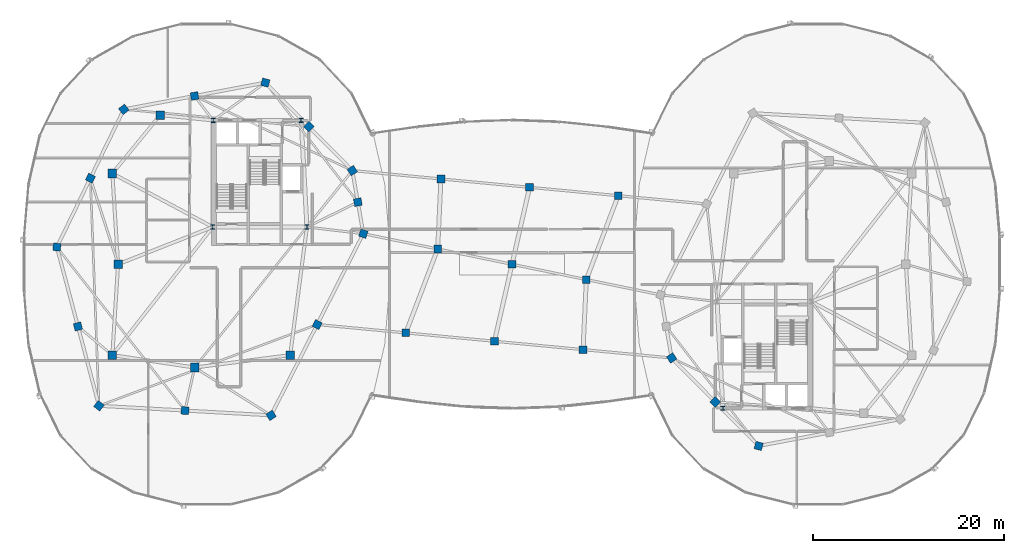
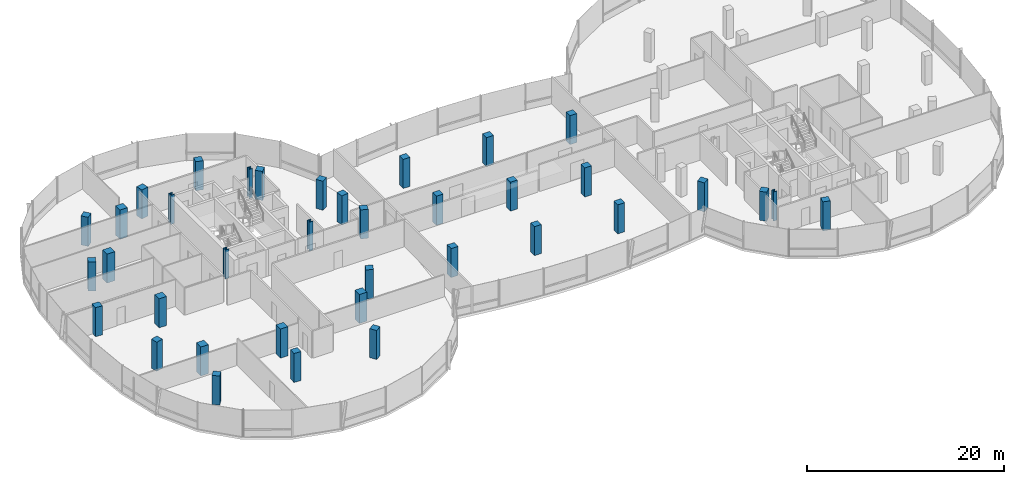
# One storey, part 1 of 25: 37 columns.
"""IFC4 building model written with IfcOpenShell, lengths in metres."""

import ifcopenshell
import ifcopenshell.guid

model = None  # the IFC model being written
_history = None  # IfcOwnerHistory: only IFC2X3 demands one
_inside = {}  # id of a spatial element -> (the spatial element, [elements in it])
_under = {}  # id of a project, library or spatial element -> (it, [spatial elements below it])
_declared = {}  # id of a project -> (the project, [libraries it declares])
_typed = {}  # id of a type object -> (the type object, [elements of that type])
_made_of = {}  # id of a material, layer set ... -> (it, [elements and type objects made of it])


def new_model(schema):
    """Start an empty IFC model of exactly this schema.

    Asked for "IFC4X3", IfcOpenShell would pick the latest addendum, in which some entities
    have other attributes; the version numbers below select the first issue.
    IFC2X3 requires an IfcOwnerHistory on every rooted entity: one is made here for all.
    """
    global model, _history
    if schema == "IFC4X3":
        model = ifcopenshell.file(schema_version=(4, 3, 0, 0))
    else:
        model = ifcopenshell.file(schema=schema)
    _inside.clear()
    _under.clear()
    _declared.clear()
    _typed.clear()
    _made_of.clear()
    _history = None
    if model.schema == "IFC2X3":
        org = make("IfcOrganization", Name="unknown")
        user = make(
            "IfcPersonAndOrganization",
            ThePerson=make("IfcPerson", FamilyName="unknown"),
            TheOrganization=org,
        )
        app = make(
            "IfcApplication",
            ApplicationDeveloper=org,
            Version="unknown",
            ApplicationFullName="unknown",
            ApplicationIdentifier="unknown",
        )
        _history = make(
            "IfcOwnerHistory",
            OwningUser=user,
            OwningApplication=app,
            ChangeAction="ADDED",
            CreationDate=0,
        )
    return model


def make(cls, **values):
    """One entity of the class cls with the attributes given. An attribute that is None is left unset."""
    return model.create_entity(
        cls, **{name: value for name, value in values.items() if value is not None}
    )


def rooted(cls, **values):
    """An entity with a GlobalId (a new one), such as an element, a storey or a relation."""
    return make(cls, GlobalId=ifcopenshell.guid.new(), OwnerHistory=_history, **values)


def si_unit(unit_type, name, prefix=None):
    """IfcSIUnit, for example si_unit("LENGTHUNIT", "METRE", prefix="MILLI")."""
    return make("IfcSIUnit", UnitType=unit_type, Prefix=prefix, Name=name)


def assignment(units):
    """IfcUnitAssignment: the units of a project."""
    return None if units is None else make("IfcUnitAssignment", Units=units)


def point(xyz):
    """IfcCartesianPoint."""
    return None if xyz is None else make("IfcCartesianPoint", Coordinates=xyz)


def direction(xyz):
    """IfcDirection."""
    return None if xyz is None else make("IfcDirection", DirectionRatios=xyz)


def frame(location, z_axis=None, x_axis=None):
    """IfcAxis2Placement3D, a coordinate frame: its origin and axes. An axis left out is left unset."""
    return make(
        "IfcAxis2Placement3D",
        Location=point(location),
        Axis=direction(z_axis),
        RefDirection=direction(x_axis),
    )


def frame_2d(location, x_axis=None):
    """IfcAxis2Placement2D, a coordinate frame in the plane: its origin and x axis."""
    return make(
        "IfcAxis2Placement2D", Location=point(location), RefDirection=direction(x_axis)
    )


def origin():
    """The frame at (0, 0, 0) with its axes left unset."""
    return frame((0.0, 0.0, 0.0))


def origin_2d():
    """The frame at (0, 0) in the plane with its x axis left unset."""
    return frame_2d((0.0, 0.0))


def place(relative_to, where):
    """IfcLocalPlacement: puts the frame where relative to a parent placement (None: the world)."""
    return make(
        "IfcLocalPlacement", PlacementRelTo=relative_to, RelativePlacement=where
    )


def context(
    kind, dimensions, precision=None, world=None, true_north=None, identifier=None
):
    """IfcGeometricRepresentationContext, for example the 3D "Model" context."""
    return make(
        "IfcGeometricRepresentationContext",
        ContextIdentifier=identifier,
        ContextType=kind,
        CoordinateSpaceDimension=dimensions,
        Precision=precision,
        WorldCoordinateSystem=world,
        TrueNorth=true_north,
    )


def subcontext(parent, identifier, kind, view, scale=None):
    """IfcGeometricRepresentationSubContext, for example "Body" below "Model"."""
    return make(
        "IfcGeometricRepresentationSubContext",
        ContextIdentifier=identifier,
        ContextType=kind,
        ParentContext=parent,
        TargetScale=scale,
        TargetView=view,
    )


def project(units=None, contexts=None):
    """IfcProject with its units and contexts."""
    return rooted(
        "IfcProject",
        Name="project",
        RepresentationContexts=contexts,
        UnitsInContext=assignment(units),
    )


def spatial(cls, under=None, at=None, **own):
    """A site, building, storey or space (cls), placed at a placement, below another one or the project."""
    s = rooted(cls, ObjectPlacement=at, **own)
    if under is not None:
        _under.setdefault(under.id(), (under, []))[1].append(s)
    return s


def profile(cls, at=None, kind="AREA", **sizes):
    """A parametric profile (cls). Its sizes go by their IFC names, for example OverallWidth=200.0."""
    return make(cls, ProfileType=kind, Position=at, **sizes)


def rectangle(**sizes):
    """IfcRectangleProfileDef."""
    return profile("IfcRectangleProfileDef", **sizes)


def i_section(**sizes):
    """IfcIShapeProfileDef."""
    return profile("IfcIShapeProfileDef", **sizes)


def extrude(swept, where, along, depth):
    """IfcExtrudedAreaSolid: the profile swept, set in the frame where, extruded along a direction by depth."""
    return make(
        "IfcExtrudedAreaSolid",
        SweptArea=swept,
        Position=where,
        ExtrudedDirection=direction(along),
        Depth=depth,
    )


def shape(context_of_items, identifier, shape_type, items):
    """IfcShapeRepresentation: the items that make up one representation, for example the "Body"."""
    return make(
        "IfcShapeRepresentation",
        ContextOfItems=context_of_items,
        RepresentationIdentifier=identifier,
        RepresentationType=shape_type,
        Items=items,
    )


def material(Name=None, Category=None):
    """IfcMaterial."""
    return make("IfcMaterial", Name=Name, Category=Category)


def material_profile(
    of_material, cross_section, Name=None, Category=None, Priority=None
):
    """IfcMaterialProfile: a cross section and its material."""
    return make(
        "IfcMaterialProfile",
        Name=Name,
        Material=of_material,
        Profile=cross_section,
        Priority=Priority,
        Category=Category,
    )


def profile_set(profiles, Name=None, composite=None):
    """IfcMaterialProfileSet."""
    return make(
        "IfcMaterialProfileSet",
        Name=Name,
        MaterialProfiles=profiles,
        CompositeProfile=composite,
    )


def made_of(thing, what):
    """Note that an element or type object is made of a material, layer set ...; save() writes the relation."""
    if what is not None:
        _made_of.setdefault(what.id(), (what, []))[1].append(thing)
    return thing


def type_object(cls, material=None, **own):
    """A type object (cls), such as IfcWallType, which elements share."""
    return made_of(rooted(cls, **own), material)


def element(
    cls,
    number,
    at=None,
    inside=None,
    cuts=None,
    type_object=None,
    material=None,
    context=None,
    identifier="Body",
    shape_type=None,
    held_by="IfcProductDefinitionShape",
    body=None,
    shapes=None,
    **own,
):
    """One element of the class cls, such as IfcWall. Its Tag is "e" and its number.

    at: its placement. inside: the storey or other place that contains it. cuts: it is an
    opening in that element (IfcRelVoidsElement). A single representation is given by context,
    identifier, shape_type and body (its items); several are given by shapes. held_by: the class
    of the entity that holds the representations. save() writes the other relations.
    """
    e = rooted(cls, Tag="e%d" % number, ObjectPlacement=at, **own)
    if body is not None:
        shapes = [shape(context, identifier, shape_type, body)]
    if shapes is not None:
        e.Representation = make(held_by, Representations=shapes)
    if inside is not None:
        _inside.setdefault(inside.id(), (inside, []))[1].append(e)
    if cuts is not None:
        rooted(
            "IfcRelVoidsElement", RelatingBuildingElement=cuts, RelatedOpeningElement=e
        )
    if type_object is not None:
        _typed.setdefault(type_object.id(), (type_object, []))[1].append(e)
    return made_of(e, material)


def aggregate(whole, parts):
    """IfcRelAggregates: a whole, such as a stair, and the parts it consists of."""
    return rooted("IfcRelAggregates", RelatingObject=whole, RelatedObjects=parts)


def save(model, path):
    """Write the relations noted so far, then the file.

    IfcRelAggregates (storeys below a building ...), IfcRelContainedInSpatialStructure (elements
    in a storey), IfcRelDefinesByType, IfcRelAssociatesMaterial and IfcRelDeclares: one each for
    every whole, place, type object, material and project.
    """
    for whole, parts in _under.values():
        aggregate(whole, parts)
    for where, things in _inside.values():
        rooted(
            "IfcRelContainedInSpatialStructure",
            RelatedElements=things,
            RelatingStructure=where,
        )
    for kind, things in _typed.values():
        rooted("IfcRelDefinesByType", RelatedObjects=things, RelatingType=kind)
    for what, things in _made_of.values():
        rooted("IfcRelAssociatesMaterial", RelatedObjects=things, RelatingMaterial=what)
    for by, libraries in _declared.values():
        rooted("IfcRelDeclares", RelatingContext=by, RelatedDefinitions=libraries)
    model.write(path)


model = new_model("IFC4")

# Units and contexts
model_context = context("Model", 3, precision=1e-05, world=origin(), true_north=direction((0.0, 1.0)))
body_context = subcontext(model_context, "Body", "Model", "MODEL_VIEW")
ifc_project = project(units=[si_unit("LENGTHUNIT", "METRE"), si_unit("AREAUNIT", "SQUARE_METRE"), si_unit("VOLUMEUNIT", "CUBIC_METRE"), si_unit("PLANEANGLEUNIT", "RADIAN"), si_unit("MASSUNIT", "GRAM", prefix="KILO"), si_unit("THERMODYNAMICTEMPERATUREUNIT", "KELVIN"), si_unit("POWERUNIT", "WATT")], contexts=[model_context])

# Site, building, storey
site_placement = place(None, origin())
site = spatial("IfcSite", under=ifc_project, at=site_placement, CompositionType="ELEMENT")
building_placement = place(site_placement, origin())
building = spatial("IfcBuilding", under=site, at=building_placement, Name="Cundina Bronze Exchange", CompositionType="ELEMENT")
storey_placement = place(building_placement, frame((0.0, 0.0, 254.0)))
storey = spatial("IfcBuildingStorey", under=building, at=storey_placement, Name="L67", CompositionType="ELEMENT", Elevation=254.0)

# Columns
ifc_material_1 = material(Name="Concrete C50/60", Category="concrete")
ifc_material_profile_1 = material_profile(ifc_material_1, rectangle(XDim=0.800048828125, YDim=0.800048828125, at=origin_2d()), Name="RC800X800", Category="concrete")
ifc_profile_set_1 = profile_set([ifc_material_profile_1], Name="Concrete C50/60")
column_type_1 = type_object("IfcColumnType", Name="COL-BRG-800", PredefinedType="COLUMN", material=ifc_profile_set_1)
for number, where, z_axis, x_axis, name in (
    (1, (-15.550048828125, 3.199951171875, 0.0), (0.0, 0.0, 1.0), (0.315152163383, 0.949041155016, 0.0), "L67 W Perimeter Column 00"),
    (2, (-16.125, 6.5, 0.0), (0.0, 0.0, 1.0), (-0.171585221787, 0.985169280715, 0.0), "L67 W Perimeter Column 01"),
    (3, (-16.699951171875, 9.800048828125, 0.0), (0.0, 0.0, 1.0), (-0.544199833495, 0.838955625301, 0.0), "L67 W Perimeter Column 02"),
    (4, (-21.25, 14.39990234375, 0.0), (0.0, 0.0, 1.0), (-0.703270634186, 0.710922228581, 0.0), "L67 W Perimeter Column 03"),
    (5, (-25.800048828125, 19.0, 0.0), (0.0, 0.0, 1.0), (-0.965970984022, 0.258650455301, 0.0), "L67 W Perimeter Column 04"),
    (6, (-33.199951171875, 17.60009765625, 0.0), (0.0, 0.0, 1.0), (-0.98258037664, -0.185838110843, 0.0), "L67 W Perimeter Column 05"),
    (7, (-40.60009765625, 16.199951171875, 0.0), (0.0, 0.0, 1.0), (-0.785100778485, -0.619368038909, 0.0), "L67 W Perimeter Column 06"),
    (8, (-44.10009765625, 9.0, 0.0), (0.0, 0.0, 1.0), (-0.437115766651, -0.899405251566, 0.0), "L67 W Perimeter Column 07"),
    (9, (-47.60009765625, 1.800048828125, 0.0), (0.0, 0.0, 1.0), (-0.083503921245, -0.996507448611, 0.0), "L67 W Perimeter Column 08"),
    (10, (-45.39990234375, -6.5, 0.0), (0.0, 0.0, 1.0), (0.256289373133, -0.966600102017, 0.0), "L67 W Perimeter Column 09"),
    (11, (-43.199951171875, -14.800048828125, 0.0), (0.0, 0.0, 1.0), (0.786288432137, -0.61785961309, 0.0), "L67 W Perimeter Column 10"),
    (12, (-34.199951171875, -15.300048828125, 0.0), (0.0, 0.0, 1.0), (0.998460188734, -0.055472980025, 0.0), "L67 W Perimeter Column 11"),
    (13, (-25.199951171875, -15.800048828125, 0.0), (0.0, 0.0, 1.0), (0.838099763533, 0.545516989988, 0.0), "L67 W Perimeter Column 12"),
    (14, (-20.375, -6.300048828125, 0.0), (0.0, 0.0, 1.0), (0.452901591366, 0.891560513111, 0.0), "L67 W Perimeter Column 13"),
    (15, (16.699951171875, -9.800048828125, 0.0), (0.0, 0.0, 1.0), (0.544199833495, -0.838955625301, 0.0), "L67 E Perimeter Column 02"),
    (16, (21.25, -14.39990234375, 0.0), (0.0, 0.0, 1.0), (0.703270634186, -0.710922228581, 0.0), "L67 E Perimeter Column 03"),
    (17, (25.800048828125, -19.0, 0.0), (0.0, 0.0, 1.0), (0.965970984022, -0.258650455301, 0.0), "L67 E Perimeter Column 04"),
    (18, (-11.106201171875, -7.175048828125, 0.0), (0.0, 0.0, 1.0), (1.0, 0.0, 0.0), "L67 Sky-Gate Bridge Column Y1-X1"),
    (19, (-1.83740234375, -8.050048828125, 0.0), (0.0, 0.0, 1.0), (1.0, 0.0, 0.0), "L67 Sky-Gate Bridge Column Y1-X2"),
    (20, (7.431396484375, -8.925048828125, 0.0), (0.0, 0.0, 1.0), (1.0, 0.0, 0.0), "L67 Sky-Gate Bridge Column Y1-X3"),
    (21, (-7.77490234375, 1.60009765625, 0.0), (0.0, 0.0, 1.0), (1.0, 0.0, 0.0), "L67 Sky-Gate Bridge Column Y2-X1"),
    (22, (0.0, 0.0, 0.0), (0.0, 0.0, 1.0), (1.0, 0.0, 0.0), "L67 Sky-Gate Bridge Column Y2-X2"),
    (23, (7.77490234375, -1.60009765625, 0.0), (0.0, 0.0, 1.0), (1.0, 0.0, 0.0), "L67 Sky-Gate Bridge Column Y2-X3"),
    (24, (-7.43115234375, 8.925048828125, 0.0), (0.0, 0.0, 1.0), (1.0, 0.0, 0.0), "L67 Sky-Gate Bridge Column Y3-X1"),
    (25, (1.83740234375, 8.050048828125, 0.0), (0.0, 0.0, 1.0), (1.0, 0.0, 0.0), "L67 Sky-Gate Bridge Column Y3-X2"),
    (26, (11.106201171875, 7.175048828125, 0.0), (0.0, 0.0, 1.0), (1.0, 0.0, 0.0), "L67 Sky-Gate Bridge Column Y3-X3"),
):
    element("IfcColumn", number, at=place(storey_placement, frame(where, z_axis=z_axis, x_axis=x_axis)), inside=storey, type_object=column_type_1, Name=name, PredefinedType="COLUMN", context=body_context, shape_type="SweptSolid", body=[
        extrude(rectangle(XDim=0.800048828125, YDim=0.800048828125, at=origin_2d()), origin(), (0.0, 0.0, 1.0), 3.60009765625),
    ])
ifc_material_2 = material(Name="Steel ASTM A992 Grade 50", Category="steel")
ifc_material_profile_2 = material_profile(ifc_material_2, i_section(OverallWidth=0.416015625, OverallDepth=0.446044921875, WebThickness=0.0390625, FlangeThickness=0.062744140625, FilletRadius=0.01806640625, at=origin_2d()), Name="W14X342", Category="steel")
ifc_profile_set_2 = profile_set([ifc_material_profile_2], Name="Steel ASTM A992 Grade 50")
column_type_2 = type_object("IfcColumnType", Name="COL-STL-W14B", PredefinedType="COLUMN", material=ifc_profile_set_2)
for number, where, z_axis, x_axis, name in (
    (27, (-31.300048828125, 3.89990234375, 0.0), (0.0, 0.0, 1.0), (1.0, 0.0, 0.0), "L67 Core Anchor Column W1"),
    (28, (-21.449951171875, 3.89990234375, 0.0), (0.0, 0.0, 1.0), (1.0, 0.0, 0.0), "L67 Core Anchor Column W2"),
    (29, (-22.050048828125, 15.050048828125, 0.0), (0.0, 0.0, 1.0), (1.0, 0.0, 0.0), "L67 Core Anchor Column W3"),
    (30, (-31.25, 15.050048828125, 0.0), (0.0, 0.0, 1.0), (1.0, 0.0, 0.0), "L67 Core Anchor Column W4"),
    (31, (22.050048828125, -15.050048828125, 0.0), (0.0, 0.0, 1.0), (1.0, 0.0, 0.0), "L67 Core Anchor Column E3"),
):
    element("IfcColumn", number, at=place(storey_placement, frame(where, z_axis=z_axis, x_axis=x_axis)), inside=storey, type_object=column_type_2, Name=name, PredefinedType="COLUMN", context=body_context, shape_type="SweptSolid", body=[
        extrude(i_section(OverallWidth=0.416015625, OverallDepth=0.446044921875, WebThickness=0.0390625, FlangeThickness=0.062744140625, FilletRadius=0.01806640625, at=origin_2d()), origin(), (0.0, 0.0, 1.0), 3.60009765625),
    ])
ifc_material_profile_3 = material_profile(ifc_material_1, rectangle(XDim=0.89990234375, YDim=0.89990234375, at=origin_2d()), Name="RC900X900", Category="concrete")
ifc_profile_set_3 = profile_set([ifc_material_profile_3], Name="Concrete C50/60")
column_type_3 = type_object("IfcColumnType", Name="COL-Z4-900", PredefinedType="COLUMN", material=ifc_profile_set_3)
for number, where, z_axis, x_axis, name in (
    (32, (-41.199951171875, 0.0, 0.0), (0.0, 0.0, 1.0), (1.0, 0.0, 0.0), "L67 W Inner Ring Column 1"),
    (33, (-41.800048828125, 9.5, 0.0), (0.0, 0.0, 1.0), (1.0, 0.0, 0.0), "L67 W Inner Ring Column 2"),
    (34, (-36.800048828125, 15.60009765625, 0.0), (0.0, 0.0, 1.0), (1.0, 0.0, 0.0), "L67 W Inner Ring Column 3"),
    (35, (-41.800048828125, -9.5, 0.0), (0.0, 0.0, 1.0), (1.0, 0.0, 0.0), "L67 W Inner Ring Column 4"),
    (36, (-33.199951171875, -10.800048828125, 0.0), (0.0, 0.0, 1.0), (1.0, 0.0, 0.0), "L67 W Inner Ring Column 5"),
    (37, (-23.199951171875, -9.5, 0.0), (0.0, 0.0, 1.0), (1.0, 0.0, 0.0), "L67 W Inner Ring Column 6"),
):
    element("IfcColumn", number, at=place(storey_placement, frame(where, z_axis=z_axis, x_axis=x_axis)), inside=storey, type_object=column_type_3, Name=name, PredefinedType="COLUMN", context=body_context, shape_type="SweptSolid", body=[
        extrude(rectangle(XDim=0.89990234375, YDim=0.89990234375, at=origin_2d()), origin(), (0.0, 0.0, 1.0), 3.60009765625),
    ])

save(model, "model.ifc")
